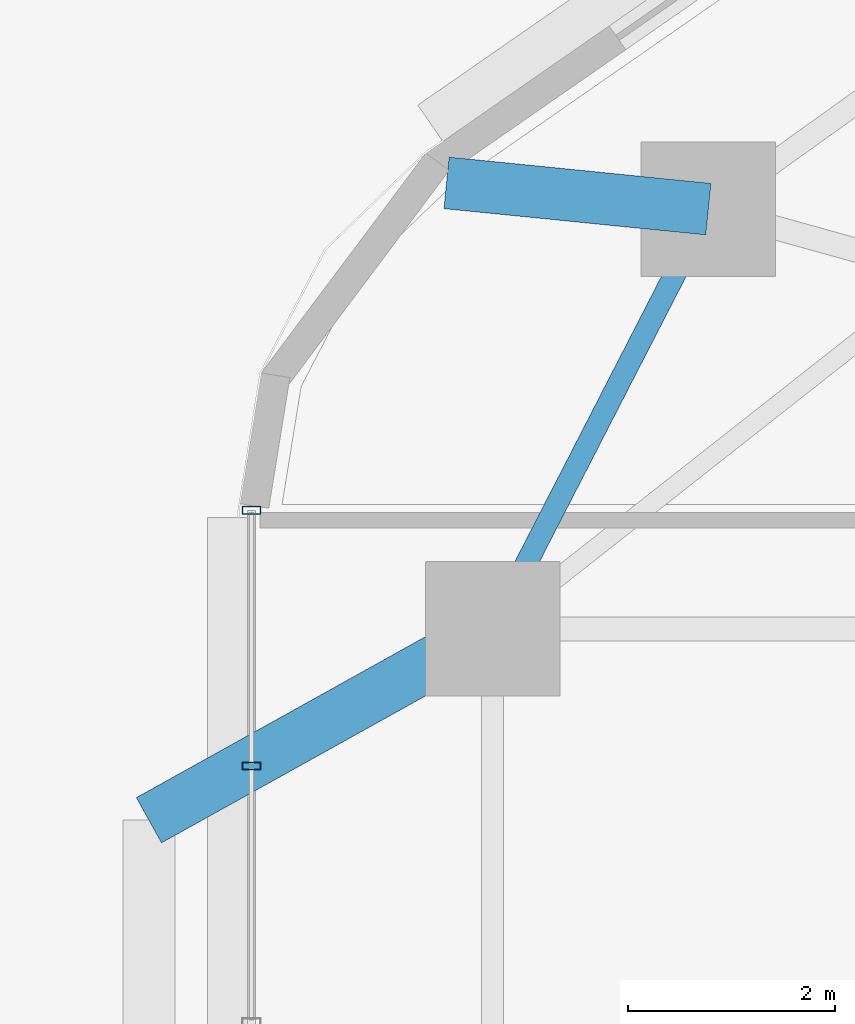
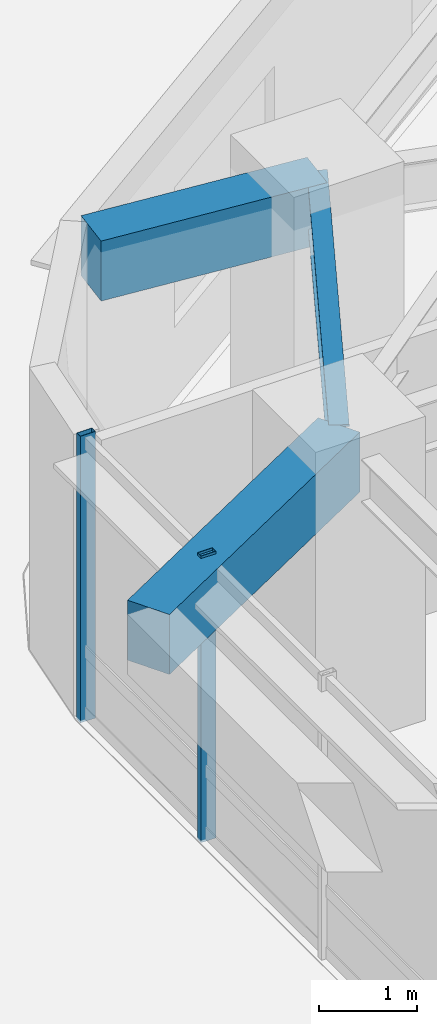
# One storey, part 6 of 20: 3 beams, 2 members, 1 element without a shape of its own.
"""IFC4 building model written with IfcOpenShell, lengths in metres."""

from ifc_helpers import new_model, si_unit, direction, frame, origin, origin_2d, place, context, subcontext, project, spatial, rectangle, hollow_rectangle, i_section, extrude, material, material_profile, profile_set, type_object, element, aggregate, save


model = new_model("IFC4")

# Units and contexts
model_context = context("Model", 3, precision=1e-05, world=origin(), true_north=direction((0.0, 1.0)))
body_context = subcontext(model_context, "Body", "Model", "MODEL_VIEW")
ifc_project = project(units=[si_unit("LENGTHUNIT", "METRE"), si_unit("AREAUNIT", "SQUARE_METRE"), si_unit("VOLUMEUNIT", "CUBIC_METRE"), si_unit("PLANEANGLEUNIT", "RADIAN"), si_unit("MASSUNIT", "GRAM", prefix="KILO")], contexts=[model_context])

# Site, building, storey
site_placement = place(None, origin())
site = spatial("IfcSite", under=ifc_project, at=site_placement, CompositionType="ELEMENT")
building_placement = place(site_placement, origin())
building = spatial("IfcBuilding", under=site, at=building_placement, Name="Zulverin Broadcast Headquarters", CompositionType="ELEMENT")
storey_placement = place(building_placement, frame((0.0, 0.0, 25.0)))
storey = spatial("IfcBuildingStorey", under=building, at=storey_placement, Name="L05", CompositionType="ELEMENT", Elevation=25.0)

# Beams
ifc_material_1 = material(Name="Concrete C40/50", Category="concrete")
ifc_material_profile_1 = material_profile(ifc_material_1, rectangle(XDim=0.5, YDim=0.75, at=origin_2d()), Name="Concrete C40/50", Category="concrete")
ifc_profile_set_1 = profile_set([ifc_material_profile_1], Name="Concrete C40/50")
beam_type_1 = type_object("IfcBeamType", Name="BM-RC-500x750", PredefinedType="BEAM", material=ifc_profile_set_1)
beam_1_placement = place(storey_placement, frame((13.934326171875, 36.353759765625, 3.14990234375), z_axis=(-0.995008621602, 0.09978899207, 0.0), x_axis=(-0.09978899207, -0.995008621602, 0.0)))
element("IfcBeam", 1, at=beam_1_placement, inside=storey, type_object=beam_type_1, Name="L06 Plate Overhang Back-Spanned Beam OVR-12", PredefinedType="BEAM", context=body_context, shape_type="SweptSolid", body=[
    extrude(rectangle(XDim=0.5, YDim=0.75, at=origin_2d()), origin(), (0.0, 0.0, 1.0), 2.5419921875),
])
beam_2_placement = place(storey_placement, frame((11.85009765625, 32.298095703125, 3.14990234375), z_axis=(-0.873763019306, -0.486351915893, 0.0), x_axis=(0.486351915893, -0.873763019306, 0.0)))
element("IfcBeam", 2, at=beam_2_placement, inside=storey, type_object=beam_type_1, Name="L06 Balcony Column-Framed Cantilever BAL_W-1", PredefinedType="BEAM", context=body_context, shape_type="SweptSolid", body=[
    extrude(rectangle(XDim=0.5, YDim=0.75, at=origin_2d()), origin(), (0.0, 0.0, 1.0), 3.800048828125),
])
ifc_material_2 = material(Name="Structural steel S355JR", Category="steel")
ifc_material_profile_2 = material_profile(ifc_material_2, i_section(OverallWidth=0.2119140625, OverallDepth=0.54443359375, WebThickness=0.0126953125, FlangeThickness=0.021240234375, at=origin_2d()), Name="Structural steel S355JR", Category="steel")
ifc_profile_set_2 = profile_set([ifc_material_profile_2], Name="Structural steel S355JR")
beam_type_2 = type_object("IfcBeamType", Name="BM-UB-533", PredefinedType="SPANDREL", material=ifc_profile_set_2)
beam_3_placement = place(storey_placement, frame((13.934326171875, 36.353759765625, 3.252685546875), z_axis=(-0.457080631948, -0.889425261558, 0.0), x_axis=(0.889425261558, -0.457080631948, 0.0)))
element("IfcBeam", 3, at=beam_3_placement, inside=storey, type_object=beam_type_2, Name="L05 Perimeter Spandrel Beam SP-12", PredefinedType="SPANDREL", context=body_context, shape_type="SweptSolid", body=[
    extrude(i_section(OverallWidth=0.2119140625, OverallDepth=0.54443359375, WebThickness=0.0126953125, FlangeThickness=0.021240234375, at=origin_2d()), origin(), (0.0, 0.0, 1.0), 4.559814453125),
])

# Curtain wall, members
ifc_material_3 = material(Name="Low-zone ribbon unitised curtain wall", Category="aluminium")
curtain_wall_type = type_object("IfcCurtainWallType", Name="CW-TWR-LOW", PredefinedType="USERDEFINED", material=ifc_material_3)
curtain_wall_placement = place(storey_placement, origin())
curtain_wall = element("IfcCurtainWall", 4, at=curtain_wall_placement, inside=storey, type_object=curtain_wall_type, Name="L05 Unitised Curtain Wall CW-L05-E7", ObjectType="UNITISED CURTAIN WALL", PredefinedType="USERDEFINED")
ifc_material_4 = material(Name="Anodized pale-metal aluminium alloy 6063-T6", Category="aluminium")
ifc_material_profile_3 = material_profile(ifc_material_4, hollow_rectangle(XDim=0.074951171875, YDim=0.179931640625, WallThickness=0.0048828125, at=origin_2d()), Name="Anodized pale-metal aluminium alloy 6063-T6", Category="aluminium")
ifc_profile_set_3 = profile_set([ifc_material_profile_3], Name="Anodized pale-metal aluminium alloy 6063-T6")
member_type = type_object("IfcMemberType", Name="CW-MUL-180", PredefinedType="MULLION", material=ifc_profile_set_3)
member_1_placement = place(storey_placement, frame((9.52001953125, 33.4443359375, -0.030029296875), z_axis=(0.0, 0.0, 1.0), x_axis=(0.0, -1.0, 0.0)))
member_1 = element("IfcMember", 5, at=member_1_placement, type_object=member_type, Name="CW-L05-E7 Mullion 00", PredefinedType="MULLION", context=body_context, shape_type="SweptSolid", body=[
    extrude(hollow_rectangle(XDim=0.074951171875, YDim=0.179931640625, WallThickness=0.0048828125, at=origin_2d()), origin(), (0.0, 0.0, 1.0), 3.5849609375),
])
member_2_placement = place(storey_placement, frame((9.52001953125, 30.972900390625, -0.030029296875), z_axis=(0.0, 0.0, 1.0), x_axis=(0.0, -1.0, 0.0)))
member_2 = element("IfcMember", 6, at=member_2_placement, type_object=member_type, Name="CW-L05-E7 Mullion 01", PredefinedType="MULLION", context=body_context, shape_type="SweptSolid", body=[
    extrude(hollow_rectangle(XDim=0.074951171875, YDim=0.179931640625, WallThickness=0.0048828125, at=origin_2d()), origin(), (0.0, 0.0, 1.0), 3.5849609375),
])
aggregate(curtain_wall, [member_1, member_2])

save(model, "model.ifc")
